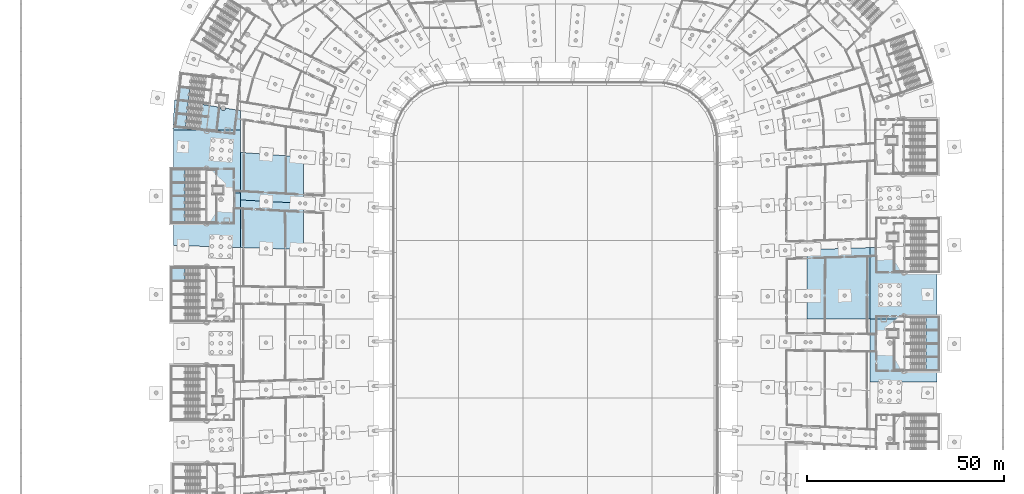
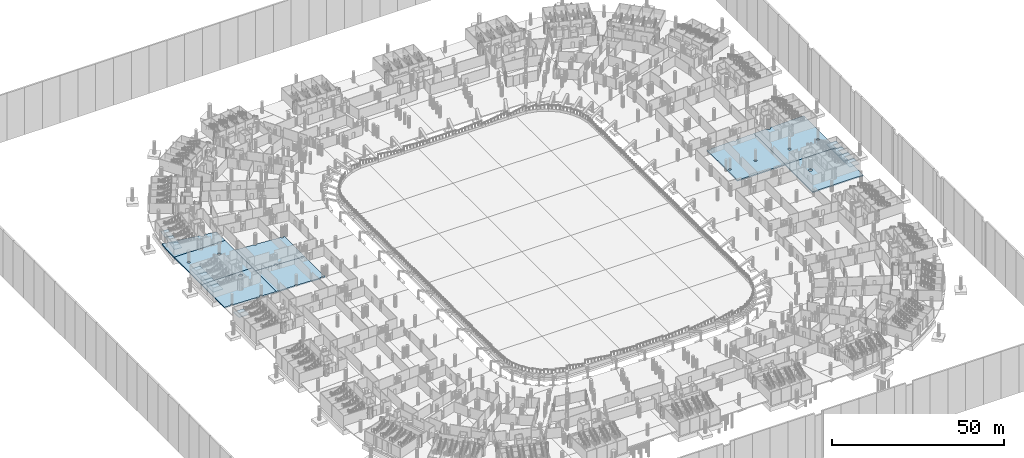
# One storey, part 25 of 142: 20 slabs, 12 elements without a shape of their own.
"""IFC4 building model written with IfcOpenShell, lengths in metres."""

from ifc_helpers import new_model, si_unit, direction, frame, origin, place, context, subcontext, project, spatial, polyline, outline, extrude, material, layer, layer_set, type_object, element, aggregate, save


model = new_model("IFC4")

# Units and contexts
model_context = context("Model", 3, precision=1e-05, world=origin(), true_north=direction((0.0, 1.0)))
body_context = subcontext(model_context, "Body", "Model", "MODEL_VIEW")
ifc_project = project(units=[si_unit("LENGTHUNIT", "METRE"), si_unit("AREAUNIT", "SQUARE_METRE"), si_unit("VOLUMEUNIT", "CUBIC_METRE"), si_unit("PLANEANGLEUNIT", "RADIAN"), si_unit("MASSUNIT", "GRAM", prefix="KILO")], contexts=[model_context])

# Site, building, storey
site_placement = place(None, origin())
site = spatial("IfcSite", under=ifc_project, at=site_placement, CompositionType="ELEMENT")
building_placement = place(site_placement, origin())
building = spatial("IfcBuilding", under=site, at=building_placement, Name="Meseta Stadium", CompositionType="ELEMENT")
storey_placement = place(building_placement, frame((0.0, 0.0, -4.0)))
storey = spatial("IfcBuildingStorey", under=building, at=storey_placement, Name="B1", CompositionType="ELEMENT", Elevation=-4.0)

# Slabs
ifc_material_1 = material(Name="Concrete C30/37", Category="concrete")
ifc_layer_1 = layer(ifc_material_1, 0.39990234375)
ifc_layer_set_1 = layer_set([ifc_layer_1], Name="Base slab 400")
slab_type_1 = type_object("IfcSlabType", Name="Base slab 400", PredefinedType="BASESLAB", material=ifc_layer_set_1)
slab_1_placement = place(storey_placement, frame((0.0, 0.0, -0.39990234375)))
element("IfcSlab", 1, at=slab_1_placement, inside=storey, type_object=slab_type_1, Name="Base slab B1 sector 00 panel 10", PredefinedType="BASESLAB", context=body_context, shape_type="SweptSolid", body=[
    extrude(outline(polyline([(64.03125, 17.52978515625), (64.005615234375, 17.445068359375), (64.0, 17.434814453125), (64.0, 6.076416015625), (64.016357421875, 6.0458984375), (64.0419921875, 5.9609375), (64.05078125, 5.872802734375), (64.0419921875, 5.78466796875), (64.016357421875, 5.69970703125), (64.0, 5.669189453125), (64.0, 0.0), (80.0, 0.0), (80.0, 18.157958984375), (73.93310546875, 17.958251953125), (73.9345703125, 17.943603515625), (73.92578125, 17.855224609375), (73.900146484375, 17.7705078125), (73.8583984375, 17.6923828125), (73.80224609375, 17.623779296875), (73.733642578125, 17.5673828125), (73.655517578125, 17.525634765625), (73.570556640625, 17.5), (73.482421875, 17.4912109375), (73.394287109375, 17.5), (73.309326171875, 17.525634765625), (73.231201171875, 17.5673828125), (73.16259765625, 17.623779296875), (73.1064453125, 17.6923828125), (73.064697265625, 17.7705078125), (73.038818359375, 17.855224609375), (73.03173828125, 17.9287109375), (65.28759765625, 17.673828125), (65.2890625, 17.660888671875), (65.28125, 17.582275390625), (65.25830078125, 17.5068359375), (65.22119140625, 17.4375), (65.17138671875, 17.37646484375), (65.1103515625, 17.32666015625), (65.041015625, 17.289306640625), (64.965576171875, 17.2666015625), (64.88720703125, 17.2587890625), (64.80859375, 17.2666015625), (64.7333984375, 17.289306640625), (64.663818359375, 17.32666015625), (64.602783203125, 17.37646484375), (64.552978515625, 17.4375), (64.515625, 17.5068359375), (64.492919921875, 17.582275390625), (64.486328125, 17.647705078125), (64.03857421875, 17.6328125), (64.0400390625, 17.617919921875), (64.03125, 17.52978515625)]), holes=[polyline([(73.915771484375, 6.154296875), (73.94140625, 6.069580078125), (73.9501953125, 5.981201171875), (73.94140625, 5.89306640625), (73.915771484375, 5.808349609375), (73.8740234375, 5.72998046875), (73.81787109375, 5.66162109375), (73.749267578125, 5.60546875), (73.671142578125, 5.563720703125), (73.586181640625, 5.537841796875), (73.498046875, 5.529296875), (73.409912109375, 5.537841796875), (73.324951171875, 5.563720703125), (73.246826171875, 5.60546875), (73.17822265625, 5.66162109375), (73.1220703125, 5.72998046875), (73.080322265625, 5.808349609375), (73.0546875, 5.89306640625), (73.0458984375, 5.981201171875), (73.0546875, 6.069580078125), (73.080322265625, 6.154296875), (73.1220703125, 6.232666015625), (73.17822265625, 6.301025390625), (73.246826171875, 6.357421875), (73.324951171875, 6.399169921875), (73.409912109375, 6.4248046875), (73.498046875, 6.43359375), (73.586181640625, 6.4248046875), (73.671142578125, 6.399169921875), (73.749267578125, 6.357421875), (73.81787109375, 6.301025390625), (73.8740234375, 6.232666015625), (73.915771484375, 6.154296875)]), polyline([(65.27001953125, 6.041015625), (65.292724609375, 5.965576171875), (65.300537109375, 5.886962890625), (65.292724609375, 5.80859375), (65.27001953125, 5.733154296875), (65.23291015625, 5.663818359375), (65.182861328125, 5.602783203125), (65.121826171875, 5.552734375), (65.052490234375, 5.515625), (64.97705078125, 5.492919921875), (64.898681640625, 5.485107421875), (64.820068359375, 5.492919921875), (64.74462890625, 5.515625), (64.67529296875, 5.552734375), (64.614501953125, 5.602783203125), (64.564453125, 5.663818359375), (64.527099609375, 5.733154296875), (64.50439453125, 5.80859375), (64.4970703125, 5.882568359375), (64.50439453125, 5.965576171875), (64.527099609375, 6.041015625), (64.564453125, 6.1103515625), (64.614501953125, 6.17138671875), (64.67529296875, 6.22119140625), (64.74462890625, 6.25830078125), (64.820068359375, 6.28125), (64.898681640625, 6.2890625), (64.97705078125, 6.28125), (65.052490234375, 6.25830078125), (65.121826171875, 6.22119140625), (65.182861328125, 6.17138671875), (65.23291015625, 6.1103515625), (65.27001953125, 6.041015625)])]), origin(), (0.0, 0.0, 1.0), 0.39990234375),
])
slab_2_placement = place(storey_placement, frame((0.0, 0.0, -0.39990234375)))
element("IfcSlab", 2, at=slab_2_placement, inside=storey, type_object=slab_type_1, Name="Base slab B1 sector 00 panel 13", PredefinedType="BASESLAB", context=body_context, shape_type="SweptSolid", body=[
    extrude(outline(polyline([(80.0, -16.0), (97.00048828125, -16.0), (97.0, 0.0), (80.0, 0.0), (80.0, -16.0)]), holes=[polyline([(84.99755859375, -6.684326171875), (84.8798828125, -6.672607421875), (84.766845703125, -6.638427734375), (84.66259765625, -6.582763671875), (84.5712890625, -6.5078125), (84.496337890625, -6.416259765625), (84.440673828125, -6.31201171875), (84.40625, -6.198974609375), (84.394775390625, -6.081298828125), (84.40625, -5.9638671875), (84.440673828125, -5.8505859375), (84.496337890625, -5.746337890625), (84.5712890625, -5.655029296875), (84.66259765625, -5.580078125), (84.766845703125, -5.5244140625), (84.8798828125, -5.489990234375), (84.99755859375, -5.478515625), (85.115234375, -5.489990234375), (85.228271484375, -5.5244140625), (85.33251953125, -5.580078125), (85.423828125, -5.655029296875), (85.498779296875, -5.746337890625), (85.5546875, -5.8505859375), (85.5888671875, -5.9638671875), (85.6005859375, -6.081298828125), (85.5888671875, -6.198974609375), (85.5546875, -6.31201171875), (85.498779296875, -6.416259765625), (85.423828125, -6.5078125), (85.33251953125, -6.582763671875), (85.228271484375, -6.638427734375), (85.115234375, -6.672607421875), (84.99755859375, -6.684326171875)])]), origin(), (0.0, 0.0, 1.0), 0.39990234375),
])
slab_3_placement = place(storey_placement, frame((0.0, 0.0, -0.39990234375)))
element("IfcSlab", 3, at=slab_3_placement, inside=storey, type_object=slab_type_1, Name="Base slab B1 sector 00 panel 14", PredefinedType="BASESLAB", context=body_context, shape_type="SweptSolid", body=[
    extrude(outline(polyline([(84.375732421875, 18.24365234375), (84.381591796875, 18.302001953125), (80.0, 18.157958984375), (80.0, 0.0), (97.0, 0.0), (97.00048828125, 18.717041015625), (85.572021484375, 18.34130859375), (85.58154296875, 18.24365234375), (85.56982421875, 18.1259765625), (85.53564453125, 18.012939453125), (85.47998046875, 17.90869140625), (85.40478515625, 17.8173828125), (85.313720703125, 17.7421875), (85.209228515625, 17.6865234375), (85.09619140625, 17.65234375), (84.978515625, 17.640625), (84.861083984375, 17.65234375), (84.747802734375, 17.6865234375), (84.643798828125, 17.7421875), (84.55224609375, 17.8173828125), (84.477294921875, 17.90869140625), (84.421630859375, 18.012939453125), (84.38720703125, 18.1259765625), (84.375732421875, 18.24365234375)]), holes=[polyline([(85.352294921875, 5.781982421875), (85.276123046875, 5.719482421875), (85.189208984375, 5.673095703125), (85.094970703125, 5.644287109375), (84.9970703125, 5.634765625), (84.89892578125, 5.644287109375), (84.8046875, 5.673095703125), (84.718017578125, 5.719482421875), (84.6416015625, 5.781982421875), (84.579345703125, 5.858154296875), (84.53271484375, 5.94482421875), (84.504150390625, 6.039306640625), (84.49462890625, 6.13720703125), (84.504150390625, 6.235107421875), (84.53271484375, 6.32958984375), (84.579345703125, 6.416259765625), (84.6416015625, 6.492431640625), (84.718017578125, 6.554931640625), (84.8046875, 6.601318359375), (84.89892578125, 6.6298828125), (84.9970703125, 6.6396484375), (85.094970703125, 6.6298828125), (85.189208984375, 6.601318359375), (85.276123046875, 6.554931640625), (85.352294921875, 6.492431640625), (85.414794921875, 6.416259765625), (85.461181640625, 6.32958984375), (85.48974609375, 6.235107421875), (85.49951171875, 6.13720703125), (85.48974609375, 6.039306640625), (85.461181640625, 5.94482421875), (85.414794921875, 5.858154296875), (85.352294921875, 5.781982421875)]), polyline([(94.77294921875, 5.832275390625), (94.688232421875, 5.806396484375), (94.60009765625, 5.7978515625), (94.51171875, 5.806396484375), (94.427001953125, 5.832275390625), (94.348876953125, 5.8740234375), (94.2802734375, 5.930419921875), (94.22412109375, 5.998779296875), (94.18212890625, 6.076904296875), (94.156494140625, 6.161865234375), (94.147705078125, 6.25), (94.156494140625, 6.338134765625), (94.18212890625, 6.423095703125), (94.22412109375, 6.501220703125), (94.2802734375, 6.569580078125), (94.348876953125, 6.6259765625), (94.427001953125, 6.667724609375), (94.51171875, 6.693603515625), (94.60009765625, 6.7021484375), (94.688232421875, 6.693603515625), (94.77294921875, 6.667724609375), (94.851318359375, 6.6259765625), (94.919677734375, 6.569580078125), (94.97607421875, 6.501220703125), (95.017822265625, 6.423095703125), (95.04345703125, 6.338134765625), (95.05224609375, 6.25), (95.04345703125, 6.161865234375), (95.017822265625, 6.076904296875), (94.97607421875, 5.998779296875), (94.919677734375, 5.930419921875), (94.851318359375, 5.8740234375), (94.77294921875, 5.832275390625)])]), origin(), (0.0, 0.0, 1.0), 0.39990234375),
])
slab_4_placement = place(storey_placement, frame((0.0, 0.0, -0.39990234375)))
element("IfcSlab", 4, at=slab_4_placement, inside=storey, type_object=slab_type_1, Name="Base slab B1 sector 28 panel 01", PredefinedType="BASESLAB", context=body_context, shape_type="SweptSolid", body=[
    extrude(outline(polyline([(-96.686767578125, 55.6533203125), (-96.86376953125, 53.750732421875), (-96.969970703125, 51.8330078125), (-97.00390625, 49.91259765625), (-97.00341796875, 48.0), (-80.0, 48.0), (-80.0, 52.9658203125), (-83.760986328125, 53.5712890625), (-83.760498046875, 53.5654296875), (-83.77197265625, 53.44775390625), (-83.806396484375, 53.334716796875), (-83.862060546875, 53.23046875), (-83.93701171875, 53.13916015625), (-84.0283203125, 53.064208984375), (-84.132568359375, 53.00830078125), (-84.24560546875, 52.97412109375), (-84.36328125, 52.96240234375), (-84.48095703125, 52.97412109375), (-84.593994140625, 53.00830078125), (-84.6982421875, 53.064208984375), (-84.789794921875, 53.13916015625), (-84.864501953125, 53.23046875), (-84.92041015625, 53.334716796875), (-84.95458984375, 53.44775390625), (-84.96630859375, 53.5654296875), (-84.95458984375, 53.68310546875), (-84.931396484375, 53.760009765625), (-96.686767578125, 55.6533203125)])), origin(), (0.0, 0.0, 1.0), 0.39990234375),
])
slab_5_placement = place(storey_placement, frame((0.0, 0.0, -0.39990234375)))
element("IfcSlab", 5, at=slab_5_placement, inside=storey, type_object=slab_type_1, Name="Base slab B1 sector 28 panel 04", PredefinedType="BASESLAB", context=body_context, shape_type="SweptSolid", body=[
    extrude(outline(polyline([(-97.001708984375, 32.0), (-80.0, 32.0), (-80.0, 48.0), (-97.00341796875, 48.0), (-97.001708984375, 32.0)]), holes=[polyline([(-94.919677734375, 43.430419921875), (-94.97607421875, 43.498779296875), (-95.017822265625, 43.576904296875), (-95.04345703125, 43.661865234375), (-95.05224609375, 43.75), (-95.04345703125, 43.838134765625), (-95.017822265625, 43.923095703125), (-94.97607421875, 44.001220703125), (-94.919677734375, 44.069580078125), (-94.851318359375, 44.1259765625), (-94.77294921875, 44.167724609375), (-94.688232421875, 44.193603515625), (-94.60009765625, 44.2021484375), (-94.51171875, 44.193603515625), (-94.427001953125, 44.167724609375), (-94.348876953125, 44.1259765625), (-94.2802734375, 44.069580078125), (-94.22412109375, 44.001220703125), (-94.18212890625, 43.923095703125), (-94.156494140625, 43.838134765625), (-94.147705078125, 43.75), (-94.156494140625, 43.661865234375), (-94.18212890625, 43.576904296875), (-94.22412109375, 43.498779296875), (-94.2802734375, 43.430419921875), (-94.348876953125, 43.3740234375), (-94.427001953125, 43.332275390625), (-94.51171875, 43.306396484375), (-94.60009765625, 43.2978515625), (-94.688232421875, 43.306396484375), (-94.77294921875, 43.332275390625), (-94.851318359375, 43.3740234375), (-94.919677734375, 43.430419921875)]), polyline([(-85.271728515625, 42.66943359375), (-85.318115234375, 42.75634765625), (-85.3466796875, 42.8505859375), (-85.3564453125, 42.948486328125), (-85.3466796875, 43.046630859375), (-85.318115234375, 43.140869140625), (-85.271728515625, 43.227783203125), (-85.209228515625, 43.3037109375), (-85.133056640625, 43.3662109375), (-85.04638671875, 43.41259765625), (-84.951904296875, 43.44140625), (-84.85400390625, 43.450927734375), (-84.756103515625, 43.44140625), (-84.66162109375, 43.41259765625), (-84.574951171875, 43.3662109375), (-84.498779296875, 43.3037109375), (-84.436279296875, 43.227783203125), (-84.389892578125, 43.140869140625), (-84.361083984375, 43.046630859375), (-84.3515625, 42.948486328125), (-84.361083984375, 42.8505859375), (-84.389892578125, 42.75634765625), (-84.436279296875, 42.66943359375), (-84.498779296875, 42.59326171875), (-84.574951171875, 42.53076171875), (-84.66162109375, 42.484375), (-84.756103515625, 42.455810546875), (-84.85400390625, 42.446044921875), (-84.951904296875, 42.455810546875), (-85.04638671875, 42.484375), (-85.133056640625, 42.53076171875), (-85.209228515625, 42.59326171875), (-85.271728515625, 42.66943359375)])]), origin(), (0.0, 0.0, 1.0), 0.39990234375),
])
slab_6_placement = place(storey_placement, frame((0.0, 0.0, -0.39990234375)))
element("IfcSlab", 6, at=slab_6_placement, inside=storey, type_object=slab_type_1, Name="Base slab B1 sector 28 panel 06", PredefinedType="BASESLAB", context=body_context, shape_type="SweptSolid", body=[
    extrude(outline(polyline([(-84.482421875, 18.305419921875), (-80.0, 18.157958984375), (-80.0, 32.0), (-97.001708984375, 32.0), (-97.00048828125, 18.717041015625), (-95.040771484375, 18.652587890625), (-95.04345703125, 18.661865234375), (-95.05224609375, 18.75), (-95.04345703125, 18.838134765625), (-95.017822265625, 18.923095703125), (-94.97607421875, 19.001220703125), (-94.919677734375, 19.069580078125), (-94.851318359375, 19.1259765625), (-94.77294921875, 19.167724609375), (-94.688232421875, 19.193603515625), (-94.60009765625, 19.2021484375), (-94.51171875, 19.193603515625), (-94.427001953125, 19.167724609375), (-94.348876953125, 19.1259765625), (-94.2802734375, 19.069580078125), (-94.22412109375, 19.001220703125), (-94.18212890625, 18.923095703125), (-94.156494140625, 18.838134765625), (-94.147705078125, 18.75), (-94.156494140625, 18.661865234375), (-94.16796875, 18.623779296875), (-85.46826171875, 18.337890625), (-85.4755859375, 18.41064453125), (-85.4658203125, 18.5087890625), (-85.437255859375, 18.60302734375), (-85.390869140625, 18.689697265625), (-85.328369140625, 18.76611328125), (-85.252197265625, 18.82861328125), (-85.165283203125, 18.875), (-85.071044921875, 18.903564453125), (-84.97314453125, 18.9130859375), (-84.875, 18.903564453125), (-84.78076171875, 18.875), (-84.69384765625, 18.82861328125), (-84.617919921875, 18.76611328125), (-84.555419921875, 18.689697265625), (-84.5087890625, 18.60302734375), (-84.480224609375, 18.5087890625), (-84.470703125, 18.41064453125), (-84.480224609375, 18.312744140625), (-84.482421875, 18.305419921875)]), holes=[polyline([(-85.543701171875, 30.404052734375), (-85.531982421875, 30.521484375), (-85.497802734375, 30.634765625), (-85.44189453125, 30.739013671875), (-85.366943359375, 30.830322265625), (-85.275634765625, 30.9052734375), (-85.17138671875, 30.9609375), (-85.058349609375, 30.995361328125), (-84.940673828125, 31.0068359375), (-84.822998046875, 30.995361328125), (-84.7099609375, 30.9609375), (-84.605712890625, 30.9052734375), (-84.514404296875, 30.830322265625), (-84.439453125, 30.739013671875), (-84.3837890625, 30.634765625), (-84.349365234375, 30.521484375), (-84.337890625, 30.404052734375), (-84.349365234375, 30.286376953125), (-84.3837890625, 30.17333984375), (-84.439453125, 30.069091796875), (-84.514404296875, 29.977783203125), (-84.605712890625, 29.902587890625), (-84.7099609375, 29.846923828125), (-84.822998046875, 29.812744140625), (-84.940673828125, 29.801025390625), (-85.058349609375, 29.812744140625), (-85.17138671875, 29.846923828125), (-85.275634765625, 29.902587890625), (-85.366943359375, 29.977783203125), (-85.44189453125, 30.069091796875), (-85.497802734375, 30.17333984375), (-85.531982421875, 30.286376953125), (-85.543701171875, 30.404052734375)])]), origin(), (0.0, 0.0, 1.0), 0.39990234375),
])
slab_7_placement = place(storey_placement, frame((0.0, 0.0, -0.39990234375)))
element("IfcSlab", 7, at=slab_7_placement, inside=storey, type_object=slab_type_1, Name="Base slab B1 sector 28 panel 10", PredefinedType="BASESLAB", context=body_context, shape_type="SweptSolid", body=[
    extrude(outline(polyline([(-64.03125, 17.706298828125), (-64.005615234375, 17.791015625), (-64.0, 17.801513671875), (-64.0, 29.2421875), (-64.009521484375, 29.27392578125), (-64.018310546875, 29.3623046875), (-64.015869140625, 29.38671875), (-64.46435546875, 29.411376953125), (-64.469970703125, 29.35498046875), (-64.492919921875, 29.279541015625), (-64.530029296875, 29.2099609375), (-64.580078125, 29.149169921875), (-64.640869140625, 29.09912109375), (-64.710205078125, 29.06201171875), (-64.78564453125, 29.0390625), (-64.8642578125, 29.031494140625), (-64.942626953125, 29.0390625), (-65.01806640625, 29.06201171875), (-65.08740234375, 29.09912109375), (-65.1484375, 29.149169921875), (-65.198486328125, 29.2099609375), (-65.235595703125, 29.279541015625), (-65.25830078125, 29.35498046875), (-65.26611328125, 29.433349609375), (-65.263916015625, 29.455322265625), (-73.00146484375, 29.87939453125), (-73.0078125, 29.81591796875), (-73.033447265625, 29.731201171875), (-73.0751953125, 29.65283203125), (-73.131591796875, 29.58447265625), (-73.2001953125, 29.5283203125), (-73.2783203125, 29.486328125), (-73.363037109375, 29.460693359375), (-73.451416015625, 29.451904296875), (-73.53955078125, 29.460693359375), (-73.624267578125, 29.486328125), (-73.702392578125, 29.5283203125), (-73.77099609375, 29.58447265625), (-73.8271484375, 29.65283203125), (-73.868896484375, 29.731201171875), (-73.894775390625, 29.81591796875), (-73.9033203125, 29.904052734375), (-73.90087890625, 29.9287109375), (-80.0, 30.26318359375), (-80.0, 18.157958984375), (-73.93310546875, 17.958251953125), (-73.92578125, 18.03173828125), (-73.900146484375, 18.116455078125), (-73.8583984375, 18.194580078125), (-73.80224609375, 18.26318359375), (-73.733642578125, 18.319580078125), (-73.655517578125, 18.361328125), (-73.570556640625, 18.386962890625), (-73.482421875, 18.395751953125), (-73.394287109375, 18.386962890625), (-73.309326171875, 18.361328125), (-73.231201171875, 18.319580078125), (-73.16259765625, 18.26318359375), (-73.1064453125, 18.194580078125), (-73.064697265625, 18.116455078125), (-73.038818359375, 18.03173828125), (-73.0302734375, 17.943603515625), (-73.03173828125, 17.9287109375), (-65.28759765625, 17.673828125), (-65.28125, 17.7392578125), (-65.25830078125, 17.814697265625), (-65.22119140625, 17.884033203125), (-65.17138671875, 17.945068359375), (-65.1103515625, 17.9951171875), (-65.041015625, 18.031982421875), (-64.965576171875, 18.054931640625), (-64.88720703125, 18.062744140625), (-64.80859375, 18.054931640625), (-64.7333984375, 18.031982421875), (-64.663818359375, 17.9951171875), (-64.602783203125, 17.945068359375), (-64.552978515625, 17.884033203125), (-64.515625, 17.814697265625), (-64.492919921875, 17.7392578125), (-64.485107421875, 17.660888671875), (-64.486328125, 17.647705078125), (-64.03857421875, 17.6328125), (-64.03125, 17.706298828125)])), origin(), (0.0, 0.0, 1.0), 0.39990234375),
])
slab_8_placement = place(storey_placement, frame((0.0, 0.0, -0.39990234375)))
element("IfcSlab", 8, at=slab_8_placement, inside=storey, type_object=slab_type_1, Name="Base slab B1 sector 28 panel 11", PredefinedType="BASESLAB", context=body_context, shape_type="SweptSolid", body=[
    extrude(outline(polyline([(-65.1640625, 40.980712890625), (-65.201171875, 41.05029296875), (-65.22412109375, 41.12548828125), (-65.231689453125, 41.2041015625), (-65.228759765625, 41.234619140625), (-72.955810546875, 41.827880859375), (-72.961181640625, 41.77392578125), (-72.98681640625, 41.689208984375), (-73.02880859375, 41.611083984375), (-73.0849609375, 41.54248046875), (-73.153564453125, 41.486083984375), (-73.231689453125, 41.4443359375), (-73.31640625, 41.418701171875), (-73.40478515625, 41.409912109375), (-73.492919921875, 41.418701171875), (-73.57763671875, 41.4443359375), (-73.656005859375, 41.486083984375), (-73.724365234375, 41.54248046875), (-73.78076171875, 41.611083984375), (-73.822509765625, 41.689208984375), (-73.84814453125, 41.77392578125), (-73.85693359375, 41.8623046875), (-73.853515625, 41.896728515625), (-80.0, 42.368408203125), (-80.0, 30.26318359375), (-73.90087890625, 29.9287109375), (-73.894775390625, 29.9921875), (-73.868896484375, 30.0771484375), (-73.8271484375, 30.1552734375), (-73.77099609375, 30.223876953125), (-73.702392578125, 30.280029296875), (-73.624267578125, 30.322021484375), (-73.53955078125, 30.34765625), (-73.451416015625, 30.356201171875), (-73.363037109375, 30.34765625), (-73.2783203125, 30.322021484375), (-73.2001953125, 30.280029296875), (-73.131591796875, 30.223876953125), (-73.0751953125, 30.1552734375), (-73.033447265625, 30.0771484375), (-73.0078125, 29.9921875), (-72.9990234375, 29.904052734375), (-73.00146484375, 29.87939453125), (-65.263916015625, 29.455322265625), (-65.25830078125, 29.51171875), (-65.235595703125, 29.587158203125), (-65.198486328125, 29.656494140625), (-65.1484375, 29.717529296875), (-65.08740234375, 29.767578125), (-65.01806640625, 29.8046875), (-64.942626953125, 29.82763671875), (-64.8642578125, 29.835205078125), (-64.78564453125, 29.82763671875), (-64.710205078125, 29.8046875), (-64.640869140625, 29.767578125), (-64.580078125, 29.717529296875), (-64.530029296875, 29.656494140625), (-64.492919921875, 29.587158203125), (-64.469970703125, 29.51171875), (-64.462158203125, 29.433349609375), (-64.46435546875, 29.411376953125), (-64.015869140625, 29.38671875), (-64.009521484375, 29.450439453125), (-64.0, 29.482177734375), (-64.0, 41.140380859375), (-64.430908203125, 41.17333984375), (-64.435791015625, 41.12548828125), (-64.45849609375, 41.05029296875), (-64.49560546875, 40.980712890625), (-64.545654296875, 40.919921875), (-64.606689453125, 40.869873046875), (-64.676025390625, 40.832763671875), (-64.75146484375, 40.809814453125), (-64.829833984375, 40.802001953125), (-64.908203125, 40.809814453125), (-64.983642578125, 40.832763671875), (-65.05322265625, 40.869873046875), (-65.114013671875, 40.919921875), (-65.1640625, 40.980712890625)])), origin(), (0.0, 0.0, 1.0), 0.39990234375),
])

# Stair, slab
ifc_material_2 = material(Name="Concrete C40/50", Category="concrete")
stair_type = type_object("IfcStairType", Name="Exit stair 2 flights 154 mm risers", PredefinedType="HALF_TURN_STAIR", material=ifc_material_2)
stair_1_placement = place(storey_placement, origin())
stair_1 = element("IfcStair", 9, at=stair_1_placement, inside=storey, type_object=stair_type, Name="ST9 B1", PredefinedType="HALF_TURN_STAIR")
ifc_material_3 = material(Name="Concrete C40/50", Category="concrete")
ifc_layer_2 = layer(ifc_material_3, 0.199951171875)
ifc_layer_set_2 = layer_set([ifc_layer_2], Name="Stair landing 200")
slab_type_2 = type_object("IfcSlabType", Name="Stair landing 200", PredefinedType="LANDING", material=ifc_layer_set_2)
slab_9_placement = place(storey_placement, frame((0.0, 0.0, 1.800048828125)))
slab_9 = element("IfcSlab", 10, at=slab_9_placement, type_object=slab_type_2, Name="ST9 B1 landing 1", PredefinedType="LANDING", context=body_context, shape_type="SweptSolid", body=[
    extrude(outline(polyline([(94.1298828125, -12.949951171875), (97.39990234375, -12.949951171875), (97.39990234375, -9.75), (94.1298828125, -9.75), (94.1298828125, -12.949951171875)])), origin(), (0.0, 0.0, 1.0), 0.199951171875),
])
aggregate(stair_1, [slab_9])

stair_2_placement = place(storey_placement, origin())
stair_2 = element("IfcStair", 11, at=stair_2_placement, inside=storey, type_object=stair_type, Name="ST10 B1", PredefinedType="HALF_TURN_STAIR")
slab_10_placement = place(storey_placement, frame((0.0, 0.0, 1.800048828125)))
slab_10 = element("IfcSlab", 12, at=slab_10_placement, type_object=slab_type_2, Name="ST10 B1 landing 1", PredefinedType="LANDING", context=body_context, shape_type="SweptSolid", body=[
    extrude(outline(polyline([(94.1298828125, -9.550048828125), (97.39990234375, -9.550048828125), (97.39990234375, -6.35009765625), (94.1298828125, -6.35009765625), (94.1298828125, -9.550048828125)])), origin(), (0.0, 0.0, 1.0), 0.199951171875),
])
aggregate(stair_2, [slab_10])

stair_3_placement = place(storey_placement, origin())
stair_3 = element("IfcStair", 13, at=stair_3_placement, inside=storey, type_object=stair_type, Name="ST11 B1", PredefinedType="HALF_TURN_STAIR")
slab_11_placement = place(storey_placement, frame((0.0, 0.0, 1.800048828125)))
slab_11 = element("IfcSlab", 14, at=slab_11_placement, type_object=slab_type_2, Name="ST11 B1 landing 1", PredefinedType="LANDING", context=body_context, shape_type="SweptSolid", body=[
    extrude(outline(polyline([(94.1298828125, -6.14990234375), (97.39990234375, -6.14990234375), (97.39990234375, -2.949951171875), (94.1298828125, -2.949951171875), (94.1298828125, -6.14990234375)])), origin(), (0.0, 0.0, 1.0), 0.199951171875),
])
aggregate(stair_3, [slab_11])

stair_4_placement = place(storey_placement, origin())
stair_4 = element("IfcStair", 15, at=stair_4_placement, inside=storey, type_object=stair_type, Name="ST12 B1", PredefinedType="HALF_TURN_STAIR")
slab_12_placement = place(storey_placement, frame((0.0, 0.0, 1.800048828125)))
slab_12 = element("IfcSlab", 16, at=slab_12_placement, type_object=slab_type_2, Name="ST12 B1 landing 1", PredefinedType="LANDING", context=body_context, shape_type="SweptSolid", body=[
    extrude(outline(polyline([(94.1298828125, -2.75), (97.39990234375, -2.75), (97.39990234375, 0.449951171875), (94.1298828125, 0.449951171875), (94.1298828125, -2.75)])), origin(), (0.0, 0.0, 1.0), 0.199951171875),
])
aggregate(stair_4, [slab_12])

stair_5_placement = place(storey_placement, origin())
stair_5 = element("IfcStair", 17, at=stair_5_placement, inside=storey, type_object=stair_type, Name="ST58 B1", PredefinedType="HALF_TURN_STAIR")
slab_13_placement = place(storey_placement, frame((0.0, 0.0, 1.800048828125)))
slab_13 = element("IfcSlab", 18, at=slab_13_placement, type_object=slab_type_2, Name="ST58 B1 landing 1", PredefinedType="LANDING", context=body_context, shape_type="SweptSolid", body=[
    extrude(outline(polyline([(-92.861572265625, 58.600830078125), (-95.316162109375, 58.87744140625), (-95.67431640625, 55.697509765625), (-93.219970703125, 55.421142578125), (-92.861572265625, 58.600830078125)])), origin(), (0.0, 0.0, 1.0), 0.199951171875),
])
aggregate(stair_5, [slab_13])

stair_6_placement = place(storey_placement, origin())
stair_6 = element("IfcStair", 19, at=stair_6_placement, inside=storey, type_object=stair_type, Name="ST59 B1", PredefinedType="HALF_TURN_STAIR")
slab_14_placement = place(storey_placement, frame((0.0, 0.0, 1.800048828125)))
slab_14 = element("IfcSlab", 20, at=slab_14_placement, type_object=slab_type_2, Name="ST59 B1 landing 1", PredefinedType="LANDING", context=body_context, shape_type="SweptSolid", body=[
    extrude(outline(polyline([(-93.242431640625, 55.222412109375), (-95.69677734375, 55.498779296875), (-96.05517578125, 52.319091796875), (-93.6005859375, 52.04248046875), (-93.242431640625, 55.222412109375)])), origin(), (0.0, 0.0, 1.0), 0.199951171875),
])
aggregate(stair_6, [slab_14])

stair_7_placement = place(storey_placement, origin())
stair_7 = element("IfcStair", 21, at=stair_7_placement, inside=storey, type_object=stair_type, Name="ST60 B1", PredefinedType="HALF_TURN_STAIR")
slab_15_placement = place(storey_placement, frame((0.0, 0.0, 1.800048828125)))
slab_15 = element("IfcSlab", 22, at=slab_15_placement, type_object=slab_type_2, Name="ST60 B1 landing 1", PredefinedType="LANDING", context=body_context, shape_type="SweptSolid", body=[
    extrude(outline(polyline([(-93.623046875, 51.84375), (-96.077392578125, 52.1201171875), (-96.435791015625, 48.9404296875), (-93.981201171875, 48.663818359375), (-93.623046875, 51.84375)])), origin(), (0.0, 0.0, 1.0), 0.199951171875),
])
aggregate(stair_7, [slab_15])

stair_8_placement = place(storey_placement, origin())
stair_8 = element("IfcStair", 23, at=stair_8_placement, inside=storey, type_object=stair_type, Name="ST61 B1", PredefinedType="HALF_TURN_STAIR")
slab_16_placement = place(storey_placement, frame((0.0, 0.0, 1.800048828125)))
slab_16 = element("IfcSlab", 24, at=slab_16_placement, type_object=slab_type_2, Name="ST61 B1 landing 1", PredefinedType="LANDING", context=body_context, shape_type="SweptSolid", body=[
    extrude(outline(polyline([(-94.1298828125, 37.949951171875), (-97.39990234375, 37.949951171875), (-97.39990234375, 34.75), (-94.1298828125, 34.75), (-94.1298828125, 37.949951171875)])), origin(), (0.0, 0.0, 1.0), 0.199951171875),
])
aggregate(stair_8, [slab_16])

stair_9_placement = place(storey_placement, origin())
stair_9 = element("IfcStair", 25, at=stair_9_placement, inside=storey, type_object=stair_type, Name="ST62 B1", PredefinedType="HALF_TURN_STAIR")
slab_17_placement = place(storey_placement, frame((0.0, 0.0, 1.800048828125)))
slab_17 = element("IfcSlab", 26, at=slab_17_placement, type_object=slab_type_2, Name="ST62 B1 landing 1", PredefinedType="LANDING", context=body_context, shape_type="SweptSolid", body=[
    extrude(outline(polyline([(-94.1298828125, 34.550048828125), (-97.39990234375, 34.550048828125), (-97.39990234375, 31.35009765625), (-94.1298828125, 31.35009765625), (-94.1298828125, 34.550048828125)])), origin(), (0.0, 0.0, 1.0), 0.199951171875),
])
aggregate(stair_9, [slab_17])

stair_10_placement = place(storey_placement, origin())
stair_10 = element("IfcStair", 27, at=stair_10_placement, inside=storey, type_object=stair_type, Name="ST63 B1", PredefinedType="HALF_TURN_STAIR")
slab_18_placement = place(storey_placement, frame((0.0, 0.0, 1.800048828125)))
slab_18 = element("IfcSlab", 28, at=slab_18_placement, type_object=slab_type_2, Name="ST63 B1 landing 1", PredefinedType="LANDING", context=body_context, shape_type="SweptSolid", body=[
    extrude(outline(polyline([(-94.1298828125, 31.14990234375), (-97.39990234375, 31.14990234375), (-97.39990234375, 27.949951171875), (-94.1298828125, 27.949951171875), (-94.1298828125, 31.14990234375)])), origin(), (0.0, 0.0, 1.0), 0.199951171875),
])
aggregate(stair_10, [slab_18])

stair_11_placement = place(storey_placement, origin())
stair_11 = element("IfcStair", 29, at=stair_11_placement, inside=storey, type_object=stair_type, Name="ST64 B1", PredefinedType="HALF_TURN_STAIR")
slab_19_placement = place(storey_placement, frame((0.0, 0.0, 1.800048828125)))
slab_19 = element("IfcSlab", 30, at=slab_19_placement, type_object=slab_type_2, Name="ST64 B1 landing 1", PredefinedType="LANDING", context=body_context, shape_type="SweptSolid", body=[
    extrude(outline(polyline([(-94.1298828125, 27.75), (-97.39990234375, 27.75), (-97.39990234375, 24.550048828125), (-94.1298828125, 24.550048828125), (-94.1298828125, 27.75)])), origin(), (0.0, 0.0, 1.0), 0.199951171875),
])
aggregate(stair_11, [slab_19])

stair_12_placement = place(storey_placement, origin())
stair_12 = element("IfcStair", 31, at=stair_12_placement, inside=storey, type_object=stair_type, Name="ST65 B1", PredefinedType="HALF_TURN_STAIR")
slab_20_placement = place(storey_placement, frame((0.0, 0.0, 1.800048828125)))
slab_20 = element("IfcSlab", 32, at=slab_20_placement, type_object=slab_type_2, Name="ST65 B1 landing 1", PredefinedType="LANDING", context=body_context, shape_type="SweptSolid", body=[
    extrude(outline(polyline([(-94.1298828125, 12.949951171875), (-97.39990234375, 12.949951171875), (-97.39990234375, 9.75), (-94.1298828125, 9.75), (-94.1298828125, 12.949951171875)])), origin(), (0.0, 0.0, 1.0), 0.199951171875),
])
aggregate(stair_12, [slab_20])

save(model, "model.ifc")
